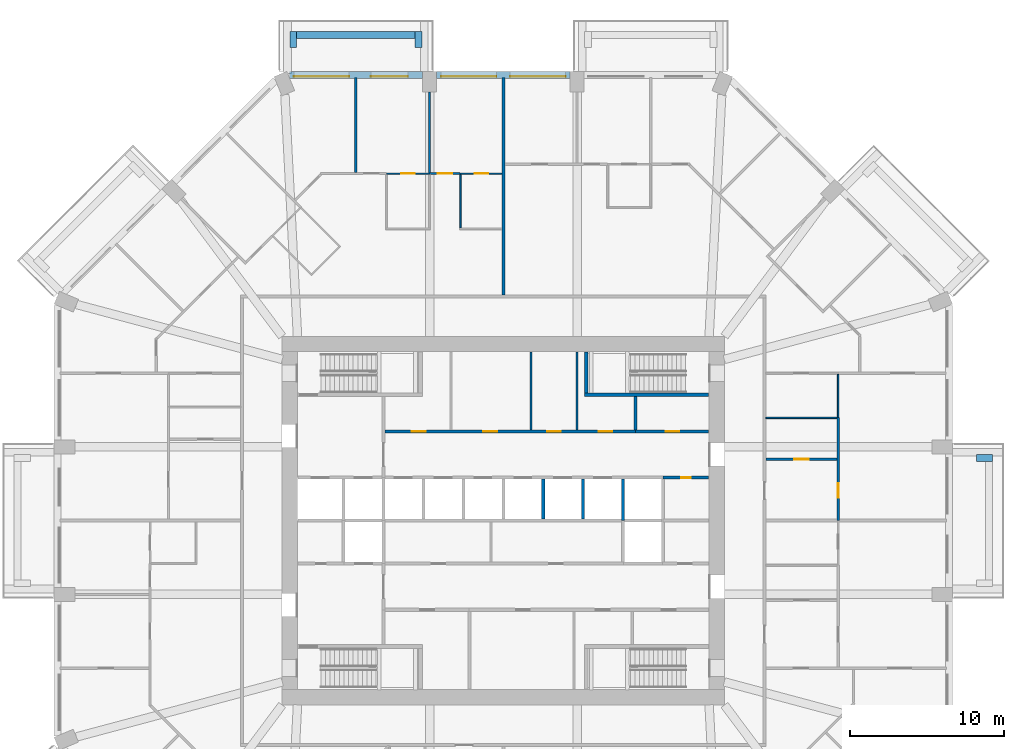
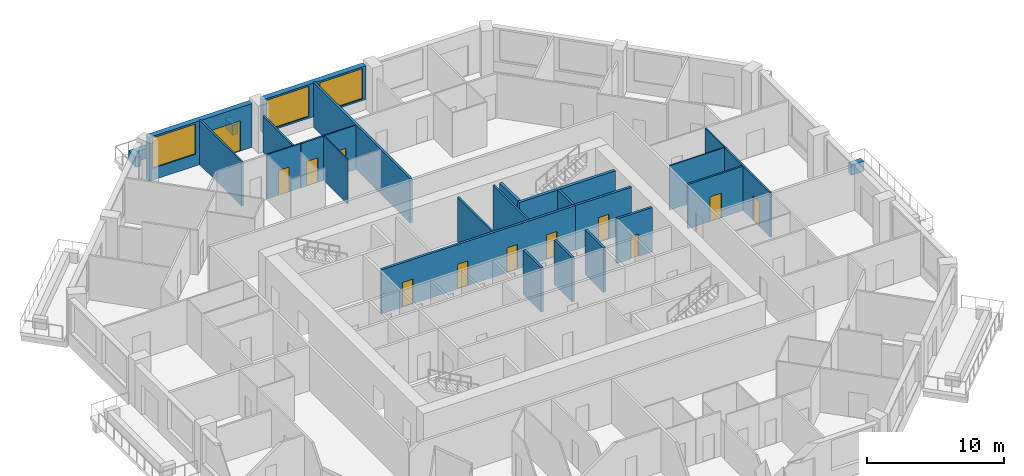
# One storey, part 9 of 13: 28 walls, 12 doors, 3 windows, 15 openings.
"""IFC4 building model written with IfcOpenShell, lengths in metres."""

from ifc_helpers import new_model, si_unit, direction, frame, frame_2d, origin, place, context, subcontext, project, spatial, rectangle, extrude, material, layer, layer_set, type_object, element, fill, save


model = new_model("IFC4")

# Units and contexts
model_context = context("Model", 3, precision=1e-05, world=origin(), true_north=direction((0.0, 1.0)))
body_context = subcontext(model_context, "Body", "Model", "MODEL_VIEW")
ifc_project = project(units=[si_unit("LENGTHUNIT", "METRE"), si_unit("AREAUNIT", "SQUARE_METRE"), si_unit("VOLUMEUNIT", "CUBIC_METRE"), si_unit("PLANEANGLEUNIT", "RADIAN"), si_unit("MASSUNIT", "GRAM", prefix="KILO")], contexts=[model_context])

# Site, building, storey
site_placement = place(None, origin())
site = spatial("IfcSite", under=ifc_project, at=site_placement, CompositionType="ELEMENT")
building_placement = place(site_placement, origin())
building = spatial("IfcBuilding", under=site, at=building_placement, Name="Msitu Wima Residences", CompositionType="ELEMENT")
storey_placement = place(building_placement, frame((0.0, 0.0, 38.10009765625)))
storey = spatial("IfcBuildingStorey", under=building, at=storey_placement, Name="L08", CompositionType="ELEMENT", Elevation=38.10009765625)

# Walls
ifc_material_1 = material(Name="Facing brick")
ifc_layer_1 = layer(ifc_material_1, 0.06494140625, Name="Facing brick")
ifc_material_2 = material(Name="Concrete C40/50", Category="concrete")
ifc_layer_2 = layer(ifc_material_2, 0.156005859375, Name="Concrete C40/50")
ifc_material_3 = material(Name="Waterproofing membrane")
ifc_layer_3 = layer(ifc_material_3, 0.00390625, Name="Waterproofing membrane")
ifc_material_4 = material(Name="Planting soil and planting")
ifc_layer_4 = layer(ifc_material_4, 0.22509765625, Name="Planting soil and planting")
ifc_layer_set_1 = layer_set([ifc_layer_1, ifc_layer_2, ifc_layer_3, ifc_layer_4], Name="Concrete C40/50")
wall_type_1 = type_object("IfcWallType", Name="Balcony planter PLANTER PL450", PredefinedType="USERDEFINED", material=ifc_layer_set_1)
wall_1_placement = place(storey_placement, frame((30.800048828125, 4.074951171875, 0.0), z_axis=(0.0, 0.0, 1.0), x_axis=(1.0, 0.0, 0.0)))
element("IfcWall", 1, at=wall_1_placement, inside=storey, type_object=wall_type_1, Name="Balcony planter E1 L08", ObjectType="PLANTER", PredefinedType="USERDEFINED", context=body_context, shape_type="SweptSolid", body=[
    extrude(rectangle(XDim=1.050048828125, YDim=0.449951171875, at=frame_2d((0.52490234375, 0.0))), origin(), (0.0, 0.0, 1.0), 0.89990234375),
])
wall_2_placement = place(storey_placement, frame((-5.75, 31.625, 0.0), z_axis=(0.0, 0.0, 1.0), x_axis=(-1.0, 0.0, 0.0)))
element("IfcWall", 2, at=wall_2_placement, inside=storey, type_object=wall_type_1, Name="Balcony planter N2 L08", ObjectType="PLANTER", PredefinedType="USERDEFINED", context=body_context, shape_type="SweptSolid", body=[
    extrude(rectangle(XDim=7.699951171875, YDim=0.449951171875, at=frame_2d((3.85009765625, 0.0))), origin(), (0.0, 0.0, 1.0), 0.89990234375),
])
for number, where, z_axis, x_axis, name in (
    (3, (-5.52490234375, 30.800048828125, 0.0), (0.0, 0.0, 1.0), (0.0, 1.0, 0.0), "Balcony planter N2 L08"),
    (4, (-13.675048828125, 30.800048828125, 0.0), (0.0, 0.0, 1.0), (0.0, 1.0, 0.0), "Balcony planter N2 L08"),
):
    element("IfcWall", number, at=place(storey_placement, frame(where, z_axis=z_axis, x_axis=x_axis)), inside=storey, type_object=wall_type_1, Name=name, ObjectType="PLANTER", PredefinedType="USERDEFINED", context=body_context, shape_type="SweptSolid", body=[
        extrude(rectangle(XDim=1.050048828125, YDim=0.449951171875, at=frame_2d((0.52490234375, 0.0))), origin(), (0.0, 0.0, 1.0), 0.89990234375),
    ])

# Wall, openings, windows
ifc_material_5 = material(Name="Brick (red buff mix)", Category="masonry")
ifc_layer_5 = layer(ifc_material_5, 0.449951171875)
ifc_layer_set_2 = layer_set([ifc_layer_5], Name="Brick (red buff mix)")
wall_type_2 = type_object("IfcWallType", Name="Brick infill wall BW450", PredefinedType="SOLIDWALL", material=ifc_layer_set_2)
wall_3_placement = place(storey_placement, frame((4.35009765625, 29.02490234375, 0.89990234375), z_axis=(0.0, 0.0, 1.0), x_axis=(-1.0, 0.0, 0.0)))
wall_3 = element("IfcWall", 5, at=wall_3_placement, inside=storey, type_object=wall_type_2, Name="Brick infill wall L08 N1", PredefinedType="SOLIDWALL", context=body_context, shape_type="SweptSolid", body=[
    extrude(rectangle(XDim=8.7001953125, YDim=0.449951171875, at=frame_2d((4.35009765625, 0.0))), origin(), (0.0, 0.0, 1.0), 3.0),
])
opening_1_placement = place(wall_3_placement, frame((0.300048828125, 0.0, 0.14990234375)))
opening_1 = element("IfcOpeningElement", 6, at=opening_1_placement, cuts=wall_3, Name="Opening W08-10.007", PredefinedType="OPENING", context=body_context, shape_type="SweptSolid", body=[
    extrude(rectangle(XDim=3.60009765625, YDim=2.699951171875, at=frame_2d((1.800048828125, 1.35009765625))), frame((0.0, 0.23486328125, 0.0), z_axis=(0.0, -1.0, 0.0), x_axis=(1.0, 0.0, 0.0)), (0.0, 0.0, 1.0), 0.469970703125),
])
opening_2_placement = place(wall_3_placement, frame((4.800048828125, 0.0, 0.14990234375)))
opening_2 = element("IfcOpeningElement", 7, at=opening_2_placement, cuts=wall_3, Name="Opening W08-10.008", PredefinedType="OPENING", context=body_context, shape_type="SweptSolid", body=[
    extrude(rectangle(XDim=3.60009765625, YDim=2.699951171875, at=frame_2d((1.800048828125, 1.35009765625))), frame((0.0, 0.23486328125, 0.0), z_axis=(0.0, -1.0, 0.0), x_axis=(1.0, 0.0, 0.0)), (0.0, 0.0, 1.0), 0.469970703125),
])
ifc_material_6 = material(Name="Anodised aluminium, bronze finish, clear low-emissivity double glazing", Category="aluminium")
window_type = type_object("IfcWindowType", Name="Window W3600x2700", PartitioningType="DOUBLE_PANEL_VERTICAL", PredefinedType="WINDOW", material=ifc_material_6)
window_1_placement = place(opening_1_placement, origin())
window_1 = element("IfcWindow", 8, at=window_1_placement, inside=storey, type_object=window_type, Name="Window L08 N1.1", OverallHeight=2.699951171875, OverallWidth=3.60009765625, PartitioningType="SINGLE_PANEL", PredefinedType="WINDOW", context=body_context, shape_type="SweptSolid", body=[
    extrude(rectangle(XDim=3.60009765625, YDim=2.699951171875, at=frame_2d((1.800048828125, 1.35009765625))), frame((0.0, 0.135009765625, 0.0), z_axis=(0.0, -1.0, 0.0), x_axis=(1.0, 0.0, 0.0)), (0.0, 0.0, 1.0), 0.06005859375),
])
fill(opening_1, window_1)
window_2_placement = place(opening_2_placement, origin())
window_2 = element("IfcWindow", 9, at=window_2_placement, inside=storey, type_object=window_type, Name="Window L08 N1.2", OverallHeight=2.699951171875, OverallWidth=3.60009765625, PartitioningType="SINGLE_PANEL", PredefinedType="WINDOW", context=body_context, shape_type="SweptSolid", body=[
    extrude(rectangle(XDim=3.60009765625, YDim=2.699951171875, at=frame_2d((1.800048828125, 1.35009765625))), frame((0.0, 0.135009765625, 0.0), z_axis=(0.0, -1.0, 0.0), x_axis=(1.0, 0.0, 0.0)), (0.0, 0.0, 1.0), 0.06005859375),
])
fill(opening_2, window_2)

# Wall, openings, door, window
wall_4_placement = place(storey_placement, frame((-5.25, 29.02490234375, 0.0), z_axis=(0.0, 0.0, 1.0), x_axis=(-1.0, 0.0, 0.0)))
wall_4 = element("IfcWall", 10, at=wall_4_placement, inside=storey, type_object=wall_type_2, Name="Brick infill wall L08 N2", PredefinedType="SOLIDWALL", context=body_context, shape_type="SweptSolid", body=[
    extrude(rectangle(XDim=8.662841796875, YDim=0.449951171875, at=frame_2d((4.33154296875, 0.0))), origin(), (0.0, 0.0, 1.0), 3.89990234375),
])
opening_3_placement = place(wall_4_placement, frame((0.9658203125, 0.0, 0.0)))
opening_3 = element("IfcOpeningElement", 11, at=opening_3_placement, cuts=wall_4, Name="Opening D08-10.003", PredefinedType="OPENING", context=body_context, shape_type="SweptSolid", body=[
    extrude(rectangle(XDim=2.39990234375, YDim=2.699951171875, at=frame_2d((1.199951171875, 1.35009765625))), frame((0.0, 0.23486328125, 0.0), z_axis=(0.0, -1.0, 0.0), x_axis=(1.0, 0.0, 0.0)), (0.0, 0.0, 1.0), 0.469970703125),
])
opening_4_placement = place(wall_4_placement, frame((4.781494140625, 0.0, 1.050048828125)))
opening_4 = element("IfcOpeningElement", 12, at=opening_4_placement, cuts=wall_4, Name="Opening W08-10.009", PredefinedType="OPENING", context=body_context, shape_type="SweptSolid", body=[
    extrude(rectangle(XDim=3.60009765625, YDim=2.699951171875, at=frame_2d((1.800048828125, 1.35009765625))), frame((0.0, 0.23486328125, 0.0), z_axis=(0.0, -1.0, 0.0), x_axis=(1.0, 0.0, 0.0)), (0.0, 0.0, 1.0), 0.469970703125),
])
door_type_1 = type_object("IfcDoorType", Name="Balcony door D2400x2700", OperationType="SLIDING_TO_LEFT", PredefinedType="DOOR", material=ifc_material_6)
door_1_placement = place(opening_3_placement, origin())
door_1 = element("IfcDoor", 13, at=door_1_placement, inside=storey, type_object=door_type_1, Name="Balcony door L08 N2", OperationType="SINGLE_SWING_LEFT", OverallHeight=2.699951171875, OverallWidth=2.39990234375, PredefinedType="DOOR", context=body_context, shape_type="SweptSolid", body=[
    extrude(rectangle(XDim=2.39990234375, YDim=2.699951171875, at=frame_2d((1.199951171875, 1.35009765625))), frame((0.0, 0.1298828125, 0.0), z_axis=(0.0, -1.0, 0.0), x_axis=(1.0, 0.0, 0.0)), (0.0, 0.0, 1.0), 0.050048828125),
])
fill(opening_3, door_1)
window_3_placement = place(opening_4_placement, origin())
window_3 = element("IfcWindow", 14, at=window_3_placement, inside=storey, type_object=window_type, Name="Window L08 N2.2", OverallHeight=2.699951171875, OverallWidth=3.60009765625, PartitioningType="SINGLE_PANEL", PredefinedType="WINDOW", context=body_context, shape_type="SweptSolid", body=[
    extrude(rectangle(XDim=3.60009765625, YDim=2.699951171875, at=frame_2d((1.800048828125, 1.35009765625))), frame((0.0, 0.135009765625, 0.0), z_axis=(0.0, -1.0, 0.0), x_axis=(1.0, 0.0, 0.0)), (0.0, 0.0, 1.0), 0.06005859375),
])
fill(opening_4, window_3)

# Wall, openings, doors
ifc_material_7 = material(Name="Plaster")
ifc_layer_6 = layer(ifc_material_7, 0.011962890625, Name="Plaster")
ifc_material_8 = material(Name="Concrete blockwork", Category="masonry")
ifc_layer_7 = layer(ifc_material_8, 0.176025390625, Name="Concrete blockwork")
ifc_layer_8 = layer(ifc_material_7, 0.011962890625, Name="Plaster")
ifc_layer_set_3 = layer_set([ifc_layer_6, ifc_layer_7, ifc_layer_8], Name="Concrete blockwork")
wall_type_3 = type_object("IfcWallType", Name="Corridor wall FW200", PredefinedType="PARTITIONING", material=ifc_layer_set_3)
wall_5_placement = place(storey_placement, frame((-7.699951171875, 5.800048828125, 0.0), z_axis=(0.0, 0.0, 1.0), x_axis=(1.0, 0.0, 0.0)))
wall_5 = element("IfcWall", 15, at=wall_5_placement, inside=storey, type_object=wall_type_3, Name="Corridor wall", PredefinedType="PARTITIONING", context=body_context, shape_type="SweptSolid", body=[
    extrude(rectangle(XDim=16.320068359375, YDim=0.199951171875, at=frame_2d((8.16015625, 0.0))), origin(), (0.0, 0.0, 1.0), 3.949951171875),
])
opening_5_placement = place(wall_5_placement, frame((1.75, 0.0, 0.0)))
opening_5 = element("IfcOpeningElement", 16, at=opening_5_placement, cuts=wall_5, Name="Opening D08-10.020", PredefinedType="OPENING", context=body_context, shape_type="SweptSolid", body=[
    extrude(rectangle(XDim=0.89990234375, YDim=2.199951171875, at=frame_2d((0.449951171875, 1.10009765625))), frame((0.0, 0.10986328125, 0.0), z_axis=(0.0, -1.0, 0.0), x_axis=(1.0, 0.0, 0.0)), (0.0, 0.0, 1.0), 0.219970703125),
])
opening_6_placement = place(wall_5_placement, frame((6.39990234375, 0.0, 0.0)))
opening_6 = element("IfcOpeningElement", 17, at=opening_6_placement, cuts=wall_5, Name="Opening D08-10.021", PredefinedType="OPENING", context=body_context, shape_type="SweptSolid", body=[
    extrude(rectangle(XDim=0.89990234375, YDim=2.199951171875, at=frame_2d((0.449951171875, 1.10009765625))), frame((0.0, 0.10986328125, 0.0), z_axis=(0.0, -1.0, 0.0), x_axis=(1.0, 0.0, 0.0)), (0.0, 0.0, 1.0), 0.219970703125),
])
opening_7_placement = place(wall_5_placement, frame((10.550048828125, 0.0, 0.0)))
opening_7 = element("IfcOpeningElement", 18, at=opening_7_placement, cuts=wall_5, Name="Opening D08-10.022", PredefinedType="OPENING", context=body_context, shape_type="SweptSolid", body=[
    extrude(rectangle(XDim=0.89990234375, YDim=2.199951171875, at=frame_2d((0.449951171875, 1.10009765625))), frame((0.0, 0.10986328125, 0.0), z_axis=(0.0, -1.0, 0.0), x_axis=(1.0, 0.0, 0.0)), (0.0, 0.0, 1.0), 0.219970703125),
])
opening_8_placement = place(wall_5_placement, frame((13.89990234375, 0.0, 0.0)))
opening_8 = element("IfcOpeningElement", 19, at=opening_8_placement, cuts=wall_5, Name="Opening D08-10.023", PredefinedType="OPENING", context=body_context, shape_type="SweptSolid", body=[
    extrude(rectangle(XDim=0.89990234375, YDim=2.199951171875, at=frame_2d((0.449951171875, 1.10009765625))), frame((0.0, 0.10986328125, 0.0), z_axis=(0.0, -1.0, 0.0), x_axis=(1.0, 0.0, 0.0)), (0.0, 0.0, 1.0), 0.219970703125),
])
ifc_material_9 = material(Name="Timber flush door", Category="wood")
door_type_2 = type_object("IfcDoorType", Name="Service door D05 900x2200", OperationType="SINGLE_SWING_LEFT", PredefinedType="DOOR", material=ifc_material_9)
door_2_placement = place(opening_5_placement, origin())
door_2 = element("IfcDoor", 20, at=door_2_placement, inside=storey, type_object=door_type_2, Name="Service door", OperationType="SINGLE_SWING_RIGHT", OverallHeight=2.199951171875, OverallWidth=0.89990234375, PredefinedType="DOOR", context=body_context, shape_type="SweptSolid", body=[
    extrude(rectangle(XDim=0.89990234375, YDim=2.199951171875, at=frame_2d((0.449951171875, 1.10009765625))), frame((0.0, 0.02490234375, 0.0), z_axis=(0.0, -1.0, 0.0), x_axis=(1.0, 0.0, 0.0)), (0.0, 0.0, 1.0), 0.050048828125),
])
fill(opening_5, door_2)
door_3_placement = place(opening_6_placement, origin())
door_3 = element("IfcDoor", 21, at=door_3_placement, inside=storey, type_object=door_type_2, Name="Service door", OperationType="SINGLE_SWING_LEFT", OverallHeight=2.199951171875, OverallWidth=0.89990234375, PredefinedType="DOOR", context=body_context, shape_type="SweptSolid", body=[
    extrude(rectangle(XDim=0.89990234375, YDim=2.199951171875, at=frame_2d((0.449951171875, 1.10009765625))), frame((0.0, 0.02490234375, 0.0), z_axis=(0.0, -1.0, 0.0), x_axis=(1.0, 0.0, 0.0)), (0.0, 0.0, 1.0), 0.050048828125),
])
fill(opening_6, door_3)
door_4_placement = place(opening_7_placement, origin())
door_4 = element("IfcDoor", 22, at=door_4_placement, inside=storey, type_object=door_type_2, Name="Service door", OperationType="SINGLE_SWING_RIGHT", OverallHeight=2.199951171875, OverallWidth=0.89990234375, PredefinedType="DOOR", context=body_context, shape_type="SweptSolid", body=[
    extrude(rectangle(XDim=0.89990234375, YDim=2.199951171875, at=frame_2d((0.449951171875, 1.10009765625))), frame((0.0, 0.02490234375, 0.0), z_axis=(0.0, -1.0, 0.0), x_axis=(1.0, 0.0, 0.0)), (0.0, 0.0, 1.0), 0.050048828125),
])
fill(opening_7, door_4)
door_5_placement = place(opening_8_placement, origin())
door_5 = element("IfcDoor", 23, at=door_5_placement, inside=storey, type_object=door_type_2, Name="Service door", OperationType="SINGLE_SWING_LEFT", OverallHeight=2.199951171875, OverallWidth=0.89990234375, PredefinedType="DOOR", context=body_context, shape_type="SweptSolid", body=[
    extrude(rectangle(XDim=0.89990234375, YDim=2.199951171875, at=frame_2d((0.449951171875, 1.10009765625))), frame((0.0, 0.02490234375, 0.0), z_axis=(0.0, -1.0, 0.0), x_axis=(1.0, 0.0, 0.0)), (0.0, 0.0, 1.0), 0.050048828125),
])
fill(opening_8, door_5)

# Walls
ifc_layer_9 = layer(ifc_material_7, 0.011962890625, Name="Plaster")
ifc_layer_10 = layer(ifc_material_8, 0.1259765625, Name="Concrete blockwork")
ifc_layer_11 = layer(ifc_material_7, 0.011962890625, Name="Plaster")
ifc_layer_set_4 = layer_set([ifc_layer_9, ifc_layer_10, ifc_layer_11], Name="Concrete blockwork")
wall_type_4 = type_object("IfcWallType", Name="Partition PW150", PredefinedType="PARTITIONING", material=ifc_layer_set_4)
wall_6_placement = place(storey_placement, frame((-9.60009765625, 22.675048828125, 0.0), z_axis=(0.0, 0.0, 1.0), x_axis=(0.0, 1.0, 0.0)))
element("IfcWall", 24, at=wall_6_placement, inside=storey, type_object=wall_type_4, Name="Partition", PredefinedType="PARTITIONING", context=body_context, shape_type="SweptSolid", body=[
    extrude(rectangle(XDim=6.179931640625, YDim=0.14990234375, at=frame_2d((3.08984375, 0.0))), origin(), (0.0, 0.0, 1.0), 3.949951171875),
])
wall_7_placement = place(storey_placement, frame((-4.800048828125, 22.580078125, 0.0), z_axis=(0.0, 0.0, 1.0), x_axis=(0.0, 1.0, 0.0)))
element("IfcWall", 25, at=wall_7_placement, inside=storey, type_object=wall_type_4, Name="Partition", PredefinedType="PARTITIONING", context=body_context, shape_type="SweptSolid", body=[
    extrude(rectangle(XDim=5.31982421875, YDim=0.14990234375, at=frame_2d((2.659912109375, 0.0))), origin(), (0.0, 0.0, 1.0), 3.199951171875),
])

# Wall, opening, door
wall_8_placement = place(storey_placement, frame((-4.780029296875, 22.60009765625, 0.0), z_axis=(0.0, 0.0, 1.0), x_axis=(1.0, 0.0, 0.0)))
wall_8 = element("IfcWall", 26, at=wall_8_placement, inside=storey, type_object=wall_type_4, Name="Partition", PredefinedType="PARTITIONING", context=body_context, shape_type="SweptSolid", body=[
    extrude(rectangle(XDim=1.9599609375, YDim=0.14990234375, at=frame_2d((0.97998046875, 0.0))), origin(), (0.0, 0.0, 1.0), 3.949951171875),
])
opening_9_placement = place(wall_8_placement, frame((0.5, 0.0, 0.0)))
opening_9 = element("IfcOpeningElement", 27, at=opening_9_placement, cuts=wall_8, Name="Opening D08-10.051", PredefinedType="OPENING", context=body_context, shape_type="SweptSolid", body=[
    extrude(rectangle(XDim=0.949951171875, YDim=2.199951171875, at=frame_2d((0.47509765625, 1.10009765625))), frame((0.0, 0.0849609375, 0.0), z_axis=(0.0, -1.0, 0.0), x_axis=(1.0, 0.0, 0.0)), (0.0, 0.0, 1.0), 0.169921875),
])
door_type_3 = type_object("IfcDoorType", Name="Room door D12 950x2200", OperationType="SINGLE_SWING_LEFT", PredefinedType="DOOR", material=ifc_material_9)
door_6_placement = place(opening_9_placement, origin())
door_6 = element("IfcDoor", 28, at=door_6_placement, inside=storey, type_object=door_type_3, Name="Room door", OperationType="SINGLE_SWING_LEFT", OverallHeight=2.199951171875, OverallWidth=0.949951171875, PredefinedType="DOOR", context=body_context, shape_type="SweptSolid", body=[
    extrude(rectangle(XDim=0.949951171875, YDim=2.199951171875, at=frame_2d((0.47509765625, 1.10009765625))), frame((0.0, 0.02490234375, 0.0), z_axis=(0.0, -1.0, 0.0), x_axis=(1.0, 0.0, 0.0)), (0.0, 0.0, 1.0), 0.050048828125),
])
fill(opening_9, door_6)

# Walls
for number, where, z_axis, x_axis, name in (
    (29, (1.800048828125, 5.89990234375, 0.0), (0.0, 0.0, 1.0), (0.0, 1.0, 0.0), "Partition"),
    (30, (4.800048828125, 5.89990234375, 0.0), (0.0, 0.0, 1.0), (0.0, 1.0, 0.0), "Partition"),
):
    element("IfcWall", number, at=place(storey_placement, frame(where, z_axis=z_axis, x_axis=x_axis)), inside=storey, type_object=wall_type_4, Name=name, PredefinedType="PARTITIONING", context=body_context, shape_type="SweptSolid", body=[
        extrude(rectangle(XDim=5.070068359375, YDim=0.14990234375, at=frame_2d((2.53515625, 0.0))), origin(), (0.0, 0.0, 1.0), 3.949951171875),
    ])

# Wall, opening, door
wall_9_placement = place(storey_placement, frame((17.10009765625, 4.0, 0.0), z_axis=(0.0, 0.0, 1.0), x_axis=(1.0, 0.0, 0.0)))
wall_9 = element("IfcWall", 31, at=wall_9_placement, inside=storey, type_object=wall_type_4, Name="Partition", PredefinedType="PARTITIONING", context=body_context, shape_type="SweptSolid", body=[
    extrude(rectangle(XDim=4.625, YDim=0.14990234375, at=frame_2d((2.3125, 0.0))), origin(), (0.0, 0.0, 1.0), 3.949951171875),
])
opening_10_placement = place(wall_9_placement, frame((1.85009765625, 0.0, 0.0)))
opening_10 = element("IfcOpeningElement", 32, at=opening_10_placement, cuts=wall_9, Name="Opening D08-10.063", PredefinedType="OPENING", context=body_context, shape_type="SweptSolid", body=[
    extrude(rectangle(XDim=0.949951171875, YDim=2.199951171875, at=frame_2d((0.47509765625, 1.10009765625))), frame((0.0, 0.0849609375, 0.0), z_axis=(0.0, -1.0, 0.0), x_axis=(1.0, 0.0, 0.0)), (0.0, 0.0, 1.0), 0.169921875),
])
door_7_placement = place(opening_10_placement, origin())
door_7 = element("IfcDoor", 33, at=door_7_placement, inside=storey, type_object=door_type_3, Name="Room door", OperationType="SINGLE_SWING_RIGHT", OverallHeight=2.199951171875, OverallWidth=0.949951171875, PredefinedType="DOOR", context=body_context, shape_type="SweptSolid", body=[
    extrude(rectangle(XDim=0.949951171875, YDim=2.199951171875, at=frame_2d((0.47509765625, 1.10009765625))), frame((0.0, 0.02490234375, 0.0), z_axis=(0.0, -1.0, 0.0), x_axis=(1.0, 0.0, 0.0)), (0.0, 0.0, 1.0), 0.050048828125),
])
fill(opening_10, door_7)

wall_10_placement = place(storey_placement, frame((21.800048828125, 0.0, 0.0), z_axis=(0.0, 0.0, 1.0), x_axis=(0.0, 1.0, 0.0)))
wall_10 = element("IfcWall", 34, at=wall_10_placement, inside=storey, type_object=wall_type_4, Name="Partition", PredefinedType="PARTITIONING", context=body_context, shape_type="SweptSolid", body=[
    extrude(rectangle(XDim=6.719970703125, YDim=0.14990234375, at=frame_2d((3.35986328125, 0.0))), origin(), (0.0, 0.0, 1.0), 3.949951171875),
])
opening_11_placement = place(wall_10_placement, frame((1.5, 0.0, 0.0)))
opening_11 = element("IfcOpeningElement", 35, at=opening_11_placement, cuts=wall_10, Name="Opening D08-10.041", PredefinedType="OPENING", context=body_context, shape_type="SweptSolid", body=[
    extrude(rectangle(XDim=0.949951171875, YDim=2.199951171875, at=frame_2d((0.47509765625, 1.10009765625))), frame((0.0, 0.0849609375, 0.0), z_axis=(0.0, -1.0, 0.0), x_axis=(1.0, 0.0, 0.0)), (0.0, 0.0, 1.0), 0.169921875),
])
door_8_placement = place(opening_11_placement, origin())
door_8 = element("IfcDoor", 36, at=door_8_placement, inside=storey, type_object=door_type_3, Name="Room door", OperationType="SINGLE_SWING_RIGHT", OverallHeight=2.199951171875, OverallWidth=0.949951171875, PredefinedType="DOOR", context=body_context, shape_type="SweptSolid", body=[
    extrude(rectangle(XDim=0.949951171875, YDim=2.199951171875, at=frame_2d((0.47509765625, 1.10009765625))), frame((0.0, 0.02490234375, 0.0), z_axis=(0.0, -1.0, 0.0), x_axis=(1.0, 0.0, 0.0)), (0.0, 0.0, 1.0), 0.050048828125),
])
fill(opening_11, door_8)

# Wall
ifc_layer_12 = layer(ifc_material_7, 0.011962890625, Name="Plaster")
ifc_material_10 = material(Name="Dense concrete blockwork", Category="masonry")
ifc_layer_13 = layer(ifc_material_10, 0.176025390625, Name="Dense concrete blockwork")
ifc_layer_14 = layer(ifc_material_7, 0.011962890625, Name="Plaster")
ifc_layer_set_5 = layer_set([ifc_layer_12, ifc_layer_13, ifc_layer_14], Name="Dense concrete blockwork")
wall_type_5 = type_object("IfcWallType", Name="Party wall PW200", PredefinedType="PARTITIONING", material=ifc_layer_set_5)
wall_11_placement = place(storey_placement, frame((0.0, 14.699951171875, 0.0), z_axis=(0.0, 0.0, 1.0), x_axis=(0.0, 1.0, 0.0)))
element("IfcWall", 37, at=wall_11_placement, inside=storey, type_object=wall_type_5, Name="Party wall", PredefinedType="PARTITIONING", context=body_context, shape_type="SweptSolid", body=[
    extrude(rectangle(XDim=14.155029296875, YDim=0.199951171875, at=frame_2d((7.07763671875, 0.0))), origin(), (0.0, 0.0, 1.0), 3.949951171875),
])

# Wall, opening, door
ifc_layer_15 = layer(ifc_material_7, 0.011962890625, Name="Plaster")
ifc_material_11 = material(Name="Reinforced concrete blockwork", Category="masonry")
ifc_layer_16 = layer(ifc_material_11, 0.176025390625, Name="Reinforced concrete blockwork")
ifc_layer_17 = layer(ifc_material_7, 0.011962890625, Name="Plaster")
ifc_layer_set_6 = layer_set([ifc_layer_15, ifc_layer_16, ifc_layer_17], Name="Reinforced concrete blockwork")
wall_type_6 = type_object("IfcWallType", Name="Plant and riser wall PL200", PredefinedType="PARTITIONING", material=ifc_layer_set_6)
wall_12_placement = place(storey_placement, frame((8.6201171875, 5.800048828125, 0.0), z_axis=(0.0, 0.0, 1.0), x_axis=(1.0, 0.0, 0.0)))
wall_12 = element("IfcWall", 38, at=wall_12_placement, inside=storey, type_object=wall_type_6, Name="Plant and riser wall", PredefinedType="PARTITIONING", context=body_context, shape_type="SweptSolid", body=[
    extrude(rectangle(XDim=4.75, YDim=0.199951171875, at=frame_2d((2.375, 0.0))), origin(), (0.0, 0.0, 1.0), 3.949951171875),
])
opening_12_placement = place(wall_12_placement, frame((1.949951171875, 0.0, 0.0)))
opening_12 = element("IfcOpeningElement", 39, at=opening_12_placement, cuts=wall_12, Name="Opening D08-10.024", PredefinedType="OPENING", context=body_context, shape_type="SweptSolid", body=[
    extrude(rectangle(XDim=0.89990234375, YDim=2.199951171875, at=frame_2d((0.449951171875, 1.10009765625))), frame((0.0, 0.10986328125, 0.0), z_axis=(0.0, -1.0, 0.0), x_axis=(1.0, 0.0, 0.0)), (0.0, 0.0, 1.0), 0.219970703125),
])
door_9_placement = place(opening_12_placement, origin())
door_9 = element("IfcDoor", 40, at=door_9_placement, inside=storey, type_object=door_type_2, Name="Service door", OperationType="SINGLE_SWING_LEFT", OverallHeight=2.199951171875, OverallWidth=0.89990234375, PredefinedType="DOOR", context=body_context, shape_type="SweptSolid", body=[
    extrude(rectangle(XDim=0.89990234375, YDim=2.199951171875, at=frame_2d((0.449951171875, 1.10009765625))), frame((0.0, 0.02490234375, 0.0), z_axis=(0.0, -1.0, 0.0), x_axis=(1.0, 0.0, 0.0)), (0.0, 0.0, 1.0), 0.050048828125),
])
fill(opening_12, door_9)

# Wall
wall_13_placement = place(storey_placement, frame((8.60009765625, 5.89990234375, 0.0), z_axis=(0.0, 0.0, 1.0), x_axis=(0.0, 1.0, 0.0)))
element("IfcWall", 41, at=wall_13_placement, inside=storey, type_object=wall_type_6, Name="Plant and riser wall", PredefinedType="PARTITIONING", context=body_context, shape_type="SweptSolid", body=[
    extrude(rectangle(XDim=2.175048828125, YDim=0.199951171875, at=frame_2d((1.08740234375, 0.0))), origin(), (0.0, 0.0, 1.0), 3.949951171875),
])

# Wall, opening, door
wall_14_placement = place(storey_placement, frame((10.39990234375, 2.800048828125, 0.0), z_axis=(0.0, 0.0, 1.0), x_axis=(1.0, 0.0, 0.0)))
wall_14 = element("IfcWall", 42, at=wall_14_placement, inside=storey, type_object=wall_type_6, Name="Plant and riser wall", PredefinedType="PARTITIONING", context=body_context, shape_type="SweptSolid", body=[
    extrude(rectangle(XDim=2.97021484375, YDim=0.199951171875, at=frame_2d((1.485107421875, 0.0))), origin(), (0.0, 0.0, 1.0), 3.949951171875),
])
opening_13_placement = place(wall_14_placement, frame((1.199951171875, 0.0, 0.0)))
opening_13 = element("IfcOpeningElement", 43, at=opening_13_placement, cuts=wall_14, Name="Opening D08-10.031", PredefinedType="OPENING", context=body_context, shape_type="SweptSolid", body=[
    extrude(rectangle(XDim=0.60009765625, YDim=2.0, at=frame_2d((0.300048828125, 1.0))), frame((0.0, 0.10986328125, 0.0), z_axis=(0.0, -1.0, 0.0), x_axis=(1.0, 0.0, 0.0)), (0.0, 0.0, 1.0), 0.219970703125),
])
ifc_material_12 = material(Name="Steel access door, fire resisting", Category="steel")
door_type_4 = type_object("IfcDoorType", Name="Riser access door D08 600x2000", OperationType="SINGLE_SWING_LEFT", PredefinedType="DOOR", material=ifc_material_12)
door_10_placement = place(opening_13_placement, origin())
door_10 = element("IfcDoor", 44, at=door_10_placement, inside=storey, type_object=door_type_4, Name="Riser access door", OperationType="SINGLE_SWING_RIGHT", OverallHeight=2.0, OverallWidth=0.60009765625, PredefinedType="DOOR", context=body_context, shape_type="SweptSolid", body=[
    extrude(rectangle(XDim=0.60009765625, YDim=2.0, at=frame_2d((0.300048828125, 1.0))), frame((0.0, 0.02490234375, 0.0), z_axis=(0.0, -1.0, 0.0), x_axis=(1.0, 0.0, 0.0)), (0.0, 0.0, 1.0), 0.050048828125),
])
fill(opening_13, door_10)

# Walls
ifc_material_13 = material(Name="Fire-rated board")
ifc_layer_18 = layer(ifc_material_13, 0.02490234375, Name="Fire-rated board")
ifc_material_14 = material(Name="Light-gauge stud framing with mineral wool")
ifc_layer_19 = layer(ifc_material_14, 0.14990234375, Name="Light-gauge stud framing with mineral wool")
ifc_layer_20 = layer(ifc_material_13, 0.02490234375, Name="Fire-rated board")
ifc_layer_set_7 = layer_set([ifc_layer_18, ifc_layer_19, ifc_layer_20], Name="Light-gauge stud framing with mineral wool")
wall_type_7 = type_object("IfcWallType", Name="Shaft wall SH200", PredefinedType="PARTITIONING", material=ifc_layer_set_7)
for number, where, z_axis, x_axis, name in (
    (45, (2.60009765625, 0.10009765625, 0.0), (0.0, 0.0, 1.0), (0.0, 1.0, 0.0), "Shaft wall"),
    (46, (5.199951171875, 0.10009765625, 0.0), (0.0, 0.0, 1.0), (0.0, 1.0, 0.0), "Shaft wall"),
):
    element("IfcWall", number, at=place(storey_placement, frame(where, z_axis=z_axis, x_axis=x_axis)), inside=storey, type_object=wall_type_7, Name=name, PredefinedType="PARTITIONING", context=body_context, shape_type="SweptSolid", body=[
        extrude(rectangle(XDim=2.599853515625, YDim=0.199951171875, at=frame_2d((1.2998046875, 0.0))), origin(), (0.0, 0.0, 1.0), 3.949951171875),
    ])
wall_15_placement = place(storey_placement, frame((7.800048828125, 0.0, 0.0), z_axis=(0.0, 0.0, 1.0), x_axis=(0.0, 1.0, 0.0)))
element("IfcWall", 47, at=wall_15_placement, inside=storey, type_object=wall_type_7, Name="Shaft wall", PredefinedType="PARTITIONING", context=body_context, shape_type="SweptSolid", body=[
    extrude(rectangle(XDim=2.699951171875, YDim=0.199951171875, at=frame_2d((1.35009765625, 0.0))), origin(), (0.0, 0.0, 1.0), 3.949951171875),
])
ifc_material_15 = material(Name="Concrete C50/60", Category="concrete")
ifc_layer_21 = layer(ifc_material_15, 0.25)
ifc_layer_set_8 = layer_set([ifc_layer_21], Name="Concrete C50/60")
wall_type_8 = type_object("IfcWallType", Name="Stair enclosure wall SW250", PredefinedType="SHEAR", material=ifc_layer_set_8)
wall_16_placement = place(storey_placement, frame((5.39990234375, 8.324951171875, 0.0), z_axis=(0.0, 0.0, 1.0), x_axis=(0.0, 1.0, 0.0)))
element("IfcWall", 48, at=wall_16_placement, inside=storey, type_object=wall_type_8, Name="Stair enclosure wall", PredefinedType="SHEAR", context=body_context, shape_type="SweptSolid", body=[
    extrude(rectangle(XDim=2.64501953125, YDim=0.25, at=frame_2d((1.322509765625, 0.0))), origin(), (0.0, 0.0, 1.0), 3.949951171875),
])
wall_17_placement = place(storey_placement, frame((5.27490234375, 8.199951171875, 0.0), z_axis=(0.0, 0.0, 1.0), x_axis=(1.0, 0.0, 0.0)))
element("IfcWall", 49, at=wall_17_placement, inside=storey, type_object=wall_type_8, Name="Stair enclosure wall", PredefinedType="SHEAR", context=body_context, shape_type="SweptSolid", body=[
    extrude(rectangle(XDim=8.09521484375, YDim=0.25, at=frame_2d((4.047607421875, 0.0))), origin(), (0.0, 0.0, 1.0), 3.949951171875),
])

# Wall, opening, door
ifc_material_16 = material(Name="Ceramic tiles")
ifc_layer_22 = layer(ifc_material_16, 0.008056640625, Name="Ceramic tiles")
ifc_material_17 = material(Name="Moisture-resistant board")
ifc_layer_23 = layer(ifc_material_17, 0.012451171875, Name="Moisture-resistant board")
ifc_layer_24 = layer(ifc_material_14, 0.06689453125, Name="Light-gauge stud framing with mineral wool")
ifc_layer_25 = layer(ifc_material_17, 0.012451171875, Name="Moisture-resistant board")
ifc_layer_set_9 = layer_set([ifc_layer_22, ifc_layer_23, ifc_layer_24, ifc_layer_25], Name="Light-gauge stud framing with mineral wool")
wall_type_9 = type_object("IfcWallType", Name="Wet wall PW100", PredefinedType="PARTITIONING", material=ifc_layer_set_9)
wall_18_placement = place(storey_placement, frame((-7.60009765625, 22.60009765625, 0.0), z_axis=(0.0, 0.0, 1.0), x_axis=(1.0, 0.0, 0.0)))
wall_18 = element("IfcWall", 50, at=wall_18_placement, inside=storey, type_object=wall_type_9, Name="Wet wall", PredefinedType="PARTITIONING", context=body_context, shape_type="SweptSolid", body=[
    extrude(rectangle(XDim=2.820068359375, YDim=0.10009765625, at=frame_2d((1.41015625, 0.0))), origin(), (0.0, 0.0, 1.0), 3.949951171875),
])
opening_14_placement = place(wall_18_placement, frame((0.949951171875, 0.0, 0.0)))
opening_14 = element("IfcOpeningElement", 51, at=opening_14_placement, cuts=wall_18, Name="Opening D08-10.050", PredefinedType="OPENING", context=body_context, shape_type="SweptSolid", body=[
    extrude(rectangle(XDim=0.89990234375, YDim=2.199951171875, at=frame_2d((0.449951171875, 1.10009765625))), frame((0.0, 0.06005859375, 0.0), z_axis=(0.0, -1.0, 0.0), x_axis=(1.0, 0.0, 0.0)), (0.0, 0.0, 1.0), 0.1201171875),
])
ifc_material_18 = material(Name="Timber flush door, moisture resistant", Category="wood")
door_type_5 = type_object("IfcDoorType", Name="Bathroom door D03 900x2200", OperationType="SINGLE_SWING_LEFT", PredefinedType="DOOR", material=ifc_material_18)
door_11_placement = place(opening_14_placement, origin())
door_11 = element("IfcDoor", 52, at=door_11_placement, inside=storey, type_object=door_type_5, Name="Bathroom door", OperationType="SINGLE_SWING_RIGHT", OverallHeight=2.199951171875, OverallWidth=0.89990234375, PredefinedType="DOOR", context=body_context, shape_type="SweptSolid", body=[
    extrude(rectangle(XDim=0.89990234375, YDim=2.199951171875, at=frame_2d((0.449951171875, 1.10009765625))), frame((0.0, 0.02490234375, 0.0), z_axis=(0.0, -1.0, 0.0), x_axis=(1.0, 0.0, 0.0)), (0.0, 0.0, 1.0), 0.050048828125),
])
fill(opening_14, door_11)

wall_19_placement = place(storey_placement, frame((-2.820068359375, 22.60009765625, 0.0), z_axis=(0.0, 0.0, 1.0), x_axis=(1.0, 0.0, 0.0)))
wall_19 = element("IfcWall", 53, at=wall_19_placement, inside=storey, type_object=wall_type_9, Name="Wet wall", PredefinedType="PARTITIONING", context=body_context, shape_type="SweptSolid", body=[
    extrude(rectangle(XDim=2.719970703125, YDim=0.10009765625, at=frame_2d((1.35986328125, 0.0))), origin(), (0.0, 0.0, 1.0), 3.949951171875),
])
opening_15_placement = place(wall_19_placement, frame((0.949951171875, 0.0, 0.0)))
opening_15 = element("IfcOpeningElement", 54, at=opening_15_placement, cuts=wall_19, Name="Opening D08-10.053", PredefinedType="OPENING", context=body_context, shape_type="SweptSolid", body=[
    extrude(rectangle(XDim=0.89990234375, YDim=2.199951171875, at=frame_2d((0.449951171875, 1.10009765625))), frame((0.0, 0.06005859375, 0.0), z_axis=(0.0, -1.0, 0.0), x_axis=(1.0, 0.0, 0.0)), (0.0, 0.0, 1.0), 0.1201171875),
])
door_12_placement = place(opening_15_placement, origin())
door_12 = element("IfcDoor", 55, at=door_12_placement, inside=storey, type_object=door_type_5, Name="Bathroom door", OperationType="SINGLE_SWING_LEFT", OverallHeight=2.199951171875, OverallWidth=0.89990234375, PredefinedType="DOOR", context=body_context, shape_type="SweptSolid", body=[
    extrude(rectangle(XDim=0.89990234375, YDim=2.199951171875, at=frame_2d((0.449951171875, 1.10009765625))), frame((0.0, 0.02490234375, 0.0), z_axis=(0.0, -1.0, 0.0), x_axis=(1.0, 0.0, 0.0)), (0.0, 0.0, 1.0), 0.050048828125),
])
fill(opening_15, door_12)

# Walls
wall_20_placement = place(storey_placement, frame((-2.800048828125, 19.050048828125, 0.0), z_axis=(0.0, 0.0, 1.0), x_axis=(0.0, 1.0, 0.0)))
element("IfcWall", 56, at=wall_20_placement, inside=storey, type_object=wall_type_9, Name="Wet wall", PredefinedType="PARTITIONING", context=body_context, shape_type="SweptSolid", body=[
    extrude(rectangle(XDim=3.474853515625, YDim=0.10009765625, at=frame_2d((1.7373046875, 0.0))), origin(), (0.0, 0.0, 1.0), 3.949951171875),
])
wall_21_placement = place(storey_placement, frame((17.10009765625, 6.699951171875, 0.0), z_axis=(0.0, 0.0, 1.0), x_axis=(1.0, 0.0, 0.0)))
element("IfcWall", 57, at=wall_21_placement, inside=storey, type_object=wall_type_9, Name="Wet wall", PredefinedType="PARTITIONING", context=body_context, shape_type="SweptSolid", body=[
    extrude(rectangle(XDim=4.625, YDim=0.10009765625, at=frame_2d((2.3125, 0.0))), origin(), (0.0, 0.0, 1.0), 3.949951171875),
])
wall_22_placement = place(storey_placement, frame((21.800048828125, 6.719970703125, 0.0), z_axis=(0.0, 0.0, 1.0), x_axis=(0.0, 1.0, 0.0)))
element("IfcWall", 58, at=wall_22_placement, inside=storey, type_object=wall_type_9, Name="Wet wall", PredefinedType="PARTITIONING", context=body_context, shape_type="SweptSolid", body=[
    extrude(rectangle(XDim=2.804931640625, YDim=0.10009765625, at=frame_2d((1.40234375, 0.0))), origin(), (0.0, 0.0, 1.0), 3.949951171875),
])

save(model, "model.ifc")
